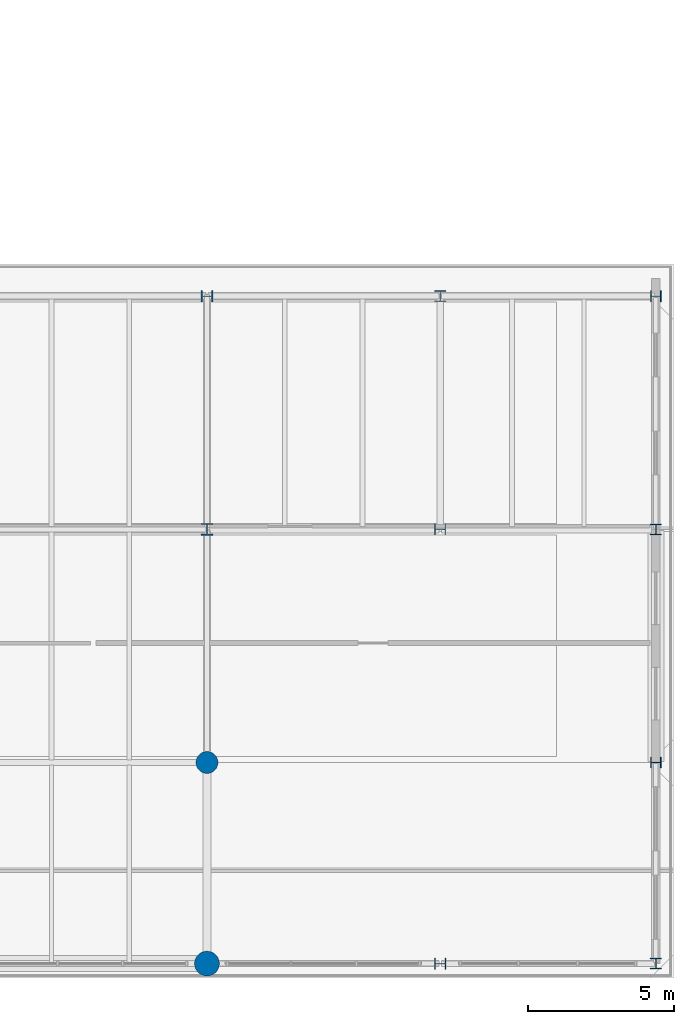
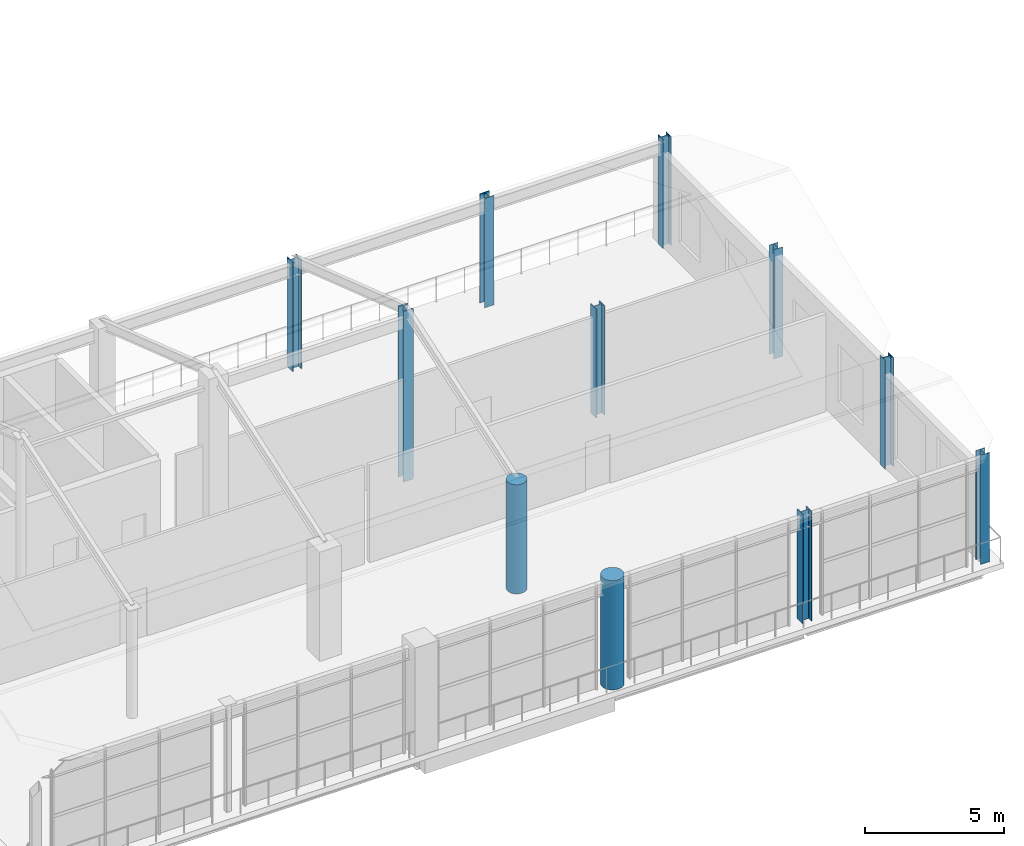
# One storey, part 12 of 51: 11 columns.
"""IFC4 building model written with IfcOpenShell, lengths in metres."""

import ifcopenshell
import ifcopenshell.guid

model = None  # the IFC model being written
_history = None  # IfcOwnerHistory: only IFC2X3 demands one
_inside = {}  # id of a spatial element -> (the spatial element, [elements in it])
_under = {}  # id of a project, library or spatial element -> (it, [spatial elements below it])
_declared = {}  # id of a project -> (the project, [libraries it declares])
_typed = {}  # id of a type object -> (the type object, [elements of that type])
_made_of = {}  # id of a material, layer set ... -> (it, [elements and type objects made of it])


def new_model(schema):
    """Start an empty IFC model of exactly this schema.

    Asked for "IFC4X3", IfcOpenShell would pick the latest addendum, in which some entities
    have other attributes; the version numbers below select the first issue.
    IFC2X3 requires an IfcOwnerHistory on every rooted entity: one is made here for all.
    """
    global model, _history
    if schema == "IFC4X3":
        model = ifcopenshell.file(schema_version=(4, 3, 0, 0))
    else:
        model = ifcopenshell.file(schema=schema)
    _inside.clear()
    _under.clear()
    _declared.clear()
    _typed.clear()
    _made_of.clear()
    _history = None
    if model.schema == "IFC2X3":
        org = make("IfcOrganization", Name="unknown")
        user = make(
            "IfcPersonAndOrganization",
            ThePerson=make("IfcPerson", FamilyName="unknown"),
            TheOrganization=org,
        )
        app = make(
            "IfcApplication",
            ApplicationDeveloper=org,
            Version="unknown",
            ApplicationFullName="unknown",
            ApplicationIdentifier="unknown",
        )
        _history = make(
            "IfcOwnerHistory",
            OwningUser=user,
            OwningApplication=app,
            ChangeAction="ADDED",
            CreationDate=0,
        )
    return model


def make(cls, **values):
    """One entity of the class cls with the attributes given. An attribute that is None is left unset."""
    return model.create_entity(
        cls, **{name: value for name, value in values.items() if value is not None}
    )


def rooted(cls, **values):
    """An entity with a GlobalId (a new one), such as an element, a storey or a relation."""
    return make(cls, GlobalId=ifcopenshell.guid.new(), OwnerHistory=_history, **values)


def si_unit(unit_type, name, prefix=None):
    """IfcSIUnit, for example si_unit("LENGTHUNIT", "METRE", prefix="MILLI")."""
    return make("IfcSIUnit", UnitType=unit_type, Prefix=prefix, Name=name)


def assignment(units):
    """IfcUnitAssignment: the units of a project."""
    return None if units is None else make("IfcUnitAssignment", Units=units)


def point(xyz):
    """IfcCartesianPoint."""
    return None if xyz is None else make("IfcCartesianPoint", Coordinates=xyz)


def direction(xyz):
    """IfcDirection."""
    return None if xyz is None else make("IfcDirection", DirectionRatios=xyz)


def frame(location, z_axis=None, x_axis=None):
    """IfcAxis2Placement3D, a coordinate frame: its origin and axes. An axis left out is left unset."""
    return make(
        "IfcAxis2Placement3D",
        Location=point(location),
        Axis=direction(z_axis),
        RefDirection=direction(x_axis),
    )


def frame_2d(location, x_axis=None):
    """IfcAxis2Placement2D, a coordinate frame in the plane: its origin and x axis."""
    return make(
        "IfcAxis2Placement2D", Location=point(location), RefDirection=direction(x_axis)
    )


def origin():
    """The frame at (0, 0, 0) with its axes left unset."""
    return frame((0.0, 0.0, 0.0))


def origin_2d():
    """The frame at (0, 0) in the plane with its x axis left unset."""
    return frame_2d((0.0, 0.0))


def place(relative_to, where):
    """IfcLocalPlacement: puts the frame where relative to a parent placement (None: the world)."""
    return make(
        "IfcLocalPlacement", PlacementRelTo=relative_to, RelativePlacement=where
    )


def context(
    kind, dimensions, precision=None, world=None, true_north=None, identifier=None
):
    """IfcGeometricRepresentationContext, for example the 3D "Model" context."""
    return make(
        "IfcGeometricRepresentationContext",
        ContextIdentifier=identifier,
        ContextType=kind,
        CoordinateSpaceDimension=dimensions,
        Precision=precision,
        WorldCoordinateSystem=world,
        TrueNorth=true_north,
    )


def subcontext(parent, identifier, kind, view, scale=None):
    """IfcGeometricRepresentationSubContext, for example "Body" below "Model"."""
    return make(
        "IfcGeometricRepresentationSubContext",
        ContextIdentifier=identifier,
        ContextType=kind,
        ParentContext=parent,
        TargetScale=scale,
        TargetView=view,
    )


def project(units=None, contexts=None):
    """IfcProject with its units and contexts."""
    return rooted(
        "IfcProject",
        Name="project",
        RepresentationContexts=contexts,
        UnitsInContext=assignment(units),
    )


def spatial(cls, under=None, at=None, **own):
    """A site, building, storey or space (cls), placed at a placement, below another one or the project."""
    s = rooted(cls, ObjectPlacement=at, **own)
    if under is not None:
        _under.setdefault(under.id(), (under, []))[1].append(s)
    return s


def profile(cls, at=None, kind="AREA", **sizes):
    """A parametric profile (cls). Its sizes go by their IFC names, for example OverallWidth=200.0."""
    return make(cls, ProfileType=kind, Position=at, **sizes)


def circle(**sizes):
    """IfcCircleProfileDef."""
    return profile("IfcCircleProfileDef", **sizes)


def i_section(**sizes):
    """IfcIShapeProfileDef."""
    return profile("IfcIShapeProfileDef", **sizes)


def extrude(swept, where, along, depth):
    """IfcExtrudedAreaSolid: the profile swept, set in the frame where, extruded along a direction by depth."""
    return make(
        "IfcExtrudedAreaSolid",
        SweptArea=swept,
        Position=where,
        ExtrudedDirection=direction(along),
        Depth=depth,
    )


def shape(context_of_items, identifier, shape_type, items):
    """IfcShapeRepresentation: the items that make up one representation, for example the "Body"."""
    return make(
        "IfcShapeRepresentation",
        ContextOfItems=context_of_items,
        RepresentationIdentifier=identifier,
        RepresentationType=shape_type,
        Items=items,
    )


def material(Name=None, Category=None):
    """IfcMaterial."""
    return make("IfcMaterial", Name=Name, Category=Category)


def material_profile(
    of_material, cross_section, Name=None, Category=None, Priority=None
):
    """IfcMaterialProfile: a cross section and its material."""
    return make(
        "IfcMaterialProfile",
        Name=Name,
        Material=of_material,
        Profile=cross_section,
        Priority=Priority,
        Category=Category,
    )


def profile_set(profiles, Name=None, composite=None):
    """IfcMaterialProfileSet."""
    return make(
        "IfcMaterialProfileSet",
        Name=Name,
        MaterialProfiles=profiles,
        CompositeProfile=composite,
    )


def made_of(thing, what):
    """Note that an element or type object is made of a material, layer set ...; save() writes the relation."""
    if what is not None:
        _made_of.setdefault(what.id(), (what, []))[1].append(thing)
    return thing


def type_object(cls, material=None, **own):
    """A type object (cls), such as IfcWallType, which elements share."""
    return made_of(rooted(cls, **own), material)


def element(
    cls,
    number,
    at=None,
    inside=None,
    cuts=None,
    type_object=None,
    material=None,
    context=None,
    identifier="Body",
    shape_type=None,
    held_by="IfcProductDefinitionShape",
    body=None,
    shapes=None,
    **own,
):
    """One element of the class cls, such as IfcWall. Its Tag is "e" and its number.

    at: its placement. inside: the storey or other place that contains it. cuts: it is an
    opening in that element (IfcRelVoidsElement). A single representation is given by context,
    identifier, shape_type and body (its items); several are given by shapes. held_by: the class
    of the entity that holds the representations. save() writes the other relations.
    """
    e = rooted(cls, Tag="e%d" % number, ObjectPlacement=at, **own)
    if body is not None:
        shapes = [shape(context, identifier, shape_type, body)]
    if shapes is not None:
        e.Representation = make(held_by, Representations=shapes)
    if inside is not None:
        _inside.setdefault(inside.id(), (inside, []))[1].append(e)
    if cuts is not None:
        rooted(
            "IfcRelVoidsElement", RelatingBuildingElement=cuts, RelatedOpeningElement=e
        )
    if type_object is not None:
        _typed.setdefault(type_object.id(), (type_object, []))[1].append(e)
    return made_of(e, material)


def aggregate(whole, parts):
    """IfcRelAggregates: a whole, such as a stair, and the parts it consists of."""
    return rooted("IfcRelAggregates", RelatingObject=whole, RelatedObjects=parts)


def save(model, path):
    """Write the relations noted so far, then the file.

    IfcRelAggregates (storeys below a building ...), IfcRelContainedInSpatialStructure (elements
    in a storey), IfcRelDefinesByType, IfcRelAssociatesMaterial and IfcRelDeclares: one each for
    every whole, place, type object, material and project.
    """
    for whole, parts in _under.values():
        aggregate(whole, parts)
    for where, things in _inside.values():
        rooted(
            "IfcRelContainedInSpatialStructure",
            RelatedElements=things,
            RelatingStructure=where,
        )
    for kind, things in _typed.values():
        rooted("IfcRelDefinesByType", RelatedObjects=things, RelatingType=kind)
    for what, things in _made_of.values():
        rooted("IfcRelAssociatesMaterial", RelatedObjects=things, RelatingMaterial=what)
    for by, libraries in _declared.values():
        rooted("IfcRelDeclares", RelatingContext=by, RelatedDefinitions=libraries)
    model.write(path)


model = new_model("IFC4")

# Units and contexts
model_context = context("Model", 3, precision=1e-05, world=origin(), true_north=direction((0.0, 1.0)))
body_context = subcontext(model_context, "Body", "Model", "MODEL_VIEW")
ifc_project = project(units=[si_unit("LENGTHUNIT", "METRE"), si_unit("AREAUNIT", "SQUARE_METRE"), si_unit("VOLUMEUNIT", "CUBIC_METRE"), si_unit("PLANEANGLEUNIT", "RADIAN"), si_unit("MASSUNIT", "GRAM", prefix="KILO")], contexts=[model_context])

# Site, building, storey
site_placement = place(None, origin())
site = spatial("IfcSite", under=ifc_project, at=site_placement, CompositionType="ELEMENT")
building_placement = place(site_placement, origin())
building = spatial("IfcBuilding", under=site, at=building_placement, Name="Brisemont Oceanarium", CompositionType="ELEMENT")
storey_placement = place(building_placement, frame((0.0, 0.0, 15.0)))
storey = spatial("IfcBuildingStorey", under=building, at=storey_placement, Name="L03", CompositionType="ELEMENT", Elevation=15.0)

# Columns
ifc_material_1 = material(Name="Concrete C40/50", Category="concrete")
ifc_material_profile_1 = material_profile(ifc_material_1, circle(Radius=0.375, at=origin_2d()), Name="RC-COL-D750")
ifc_profile_set_1 = profile_set([ifc_material_profile_1], Name="Concrete C40/50")
column_type_1 = type_object("IfcColumnType", Name="COL-RCD750", PredefinedType="COLUMN", material=ifc_profile_set_1)
column_1_placement = place(storey_placement, frame((144.0, 8.0, 0.0), z_axis=(0.0, 0.0, 1.0), x_axis=(0.0, 1.0, 0.0)))
element("IfcColumn", 1, at=column_1_placement, inside=storey, type_object=column_type_1, Name="V3 L03 column (4,1)", PredefinedType="COLUMN", context=body_context, shape_type="SweptSolid", body=[
    extrude(circle(Radius=0.375, at=origin_2d()), origin(), (0.0, 0.0, 1.0), 4.800048828125),
])
ifc_material_2 = material(Name="Concrete C40/50", Category="concrete")
ifc_material_profile_2 = material_profile(ifc_material_2, circle(Radius=0.425048828125, at=origin_2d()), Name="RC-COL-D850")
ifc_profile_set_2 = profile_set([ifc_material_profile_2], Name="Concrete C40/50")
column_type_2 = type_object("IfcColumnType", Name="COL-RCD850", PredefinedType="COLUMN", material=ifc_profile_set_2)
column_2_placement = place(storey_placement, frame((144.0, 1.10009765625, 0.0), z_axis=(0.0, 0.0, 1.0), x_axis=(1.0, 0.0, 0.0)))
element("IfcColumn", 2, at=column_2_placement, inside=storey, type_object=column_type_2, Name="V3 L03 column (4,0)", PredefinedType="COLUMN", context=body_context, shape_type="SweptSolid", body=[
    extrude(circle(Radius=0.425048828125, at=origin_2d()), origin(), (0.0, 0.0, 1.0), 4.800048828125),
])
ifc_material_3 = material(Name="Structural Steel ASTM A992 Gr.50", Category="steel")
ifc_material_profile_3 = material_profile(ifc_material_3, i_section(OverallWidth=0.37109375, OverallDepth=0.364013671875, WebThickness=0.01318359375, FlangeThickness=0.021728515625, FilletRadius=0.014892578125, at=origin_2d()), Name="W14X109")
ifc_profile_set_3 = profile_set([ifc_material_profile_3], Name="Structural Steel ASTM A992 Gr.50")
column_type_3 = type_object("IfcColumnType", Name="COL-W14X109", PredefinedType="COLUMN", material=ifc_profile_set_3)
column_3_placement = place(storey_placement, frame((159.39990234375, 8.0, 0.0), z_axis=(0.0, 0.0, 1.0), x_axis=(0.0, 1.0, 0.0)))
element("IfcColumn", 3, at=column_3_placement, inside=storey, type_object=column_type_3, Name="V3 L03 column (6,1)", PredefinedType="COLUMN", context=body_context, shape_type="SweptSolid", body=[
    extrude(i_section(OverallWidth=0.37109375, OverallDepth=0.364013671875, WebThickness=0.01318359375, FlangeThickness=0.021728515625, FilletRadius=0.014892578125, at=origin_2d()), origin(), (0.0, 0.0, 1.0), 4.800048828125),
])
ifc_material_4 = material(Name="Structural Steel ASTM A992 Gr.50", Category="steel")
ifc_material_profile_4 = material_profile(ifc_material_4, i_section(OverallWidth=0.373046875, OverallDepth=0.367919921875, WebThickness=0.014892578125, FlangeThickness=0.02392578125, FilletRadius=0.014892578125, at=origin_2d()), Name="W14X120")
ifc_profile_set_4 = profile_set([ifc_material_profile_4], Name="Structural Steel ASTM A992 Gr.50")
column_type_4 = type_object("IfcColumnType", Name="COL-W14X120", PredefinedType="COLUMN", material=ifc_profile_set_4)
column_4_placement = place(storey_placement, frame((159.39990234375, 1.10009765625, 0.0), z_axis=(0.0, 0.0, 1.0), x_axis=(1.0, 0.0, 0.0)))
element("IfcColumn", 4, at=column_4_placement, inside=storey, type_object=column_type_4, Name="V3 L03 column (6,0)", PredefinedType="COLUMN", context=body_context, shape_type="SweptSolid", body=[
    extrude(i_section(OverallWidth=0.373046875, OverallDepth=0.367919921875, WebThickness=0.014892578125, FlangeThickness=0.02392578125, FilletRadius=0.014892578125, at=origin_2d()), origin(), (0.0, 0.0, 1.0), 4.800048828125),
])
ifc_material_5 = material(Name="Structural Steel ASTM A992 Gr.50", Category="steel")
ifc_material_profile_5 = material_profile(ifc_material_5, i_section(OverallWidth=0.39404296875, OverallDepth=0.3759765625, WebThickness=0.017333984375, FlangeThickness=0.027587890625, FilletRadius=0.014892578125, at=origin_2d()), Name="W14X145")
ifc_profile_set_5 = profile_set([ifc_material_profile_5], Name="Structural Steel ASTM A992 Gr.50")
column_type_5 = type_object("IfcColumnType", Name="COL-W14X145", PredefinedType="COLUMN", material=ifc_profile_set_5)
column_5_placement = place(storey_placement, frame((152.0, 24.0, 0.0), z_axis=(0.0, 0.0, 1.0), x_axis=(1.0, 0.0, 0.0)))
element("IfcColumn", 5, at=column_5_placement, inside=storey, type_object=column_type_5, Name="V3 L03 column (5,3)", PredefinedType="COLUMN", context=body_context, shape_type="SweptSolid", body=[
    extrude(i_section(OverallWidth=0.39404296875, OverallDepth=0.3759765625, WebThickness=0.017333984375, FlangeThickness=0.027587890625, FilletRadius=0.014892578125, at=origin_2d()), origin(), (0.0, 0.0, 1.0), 4.800048828125),
])
ifc_material_6 = material(Name="Structural Steel ASTM A992 Gr.50", Category="steel")
ifc_material_profile_6 = material_profile(ifc_material_6, i_section(OverallWidth=0.39501953125, OverallDepth=0.3798828125, WebThickness=0.018798828125, FlangeThickness=0.0302734375, FilletRadius=0.014892578125, at=origin_2d()), Name="W14X159")
ifc_profile_set_6 = profile_set([ifc_material_profile_6], Name="Structural Steel ASTM A992 Gr.50")
column_type_6 = type_object("IfcColumnType", Name="COL-W14X159", PredefinedType="COLUMN", material=ifc_profile_set_6)
column_6_placement = place(storey_placement, frame((152.0, 16.0, 0.0), z_axis=(0.0, 0.0, 1.0), x_axis=(0.0, 1.0, 0.0)))
element("IfcColumn", 6, at=column_6_placement, inside=storey, type_object=column_type_6, Name="V3 L03 column (5,2)", PredefinedType="COLUMN", context=body_context, shape_type="SweptSolid", body=[
    extrude(i_section(OverallWidth=0.39501953125, OverallDepth=0.3798828125, WebThickness=0.018798828125, FlangeThickness=0.0302734375, FilletRadius=0.014892578125, at=origin_2d()), origin(), (0.0, 0.0, 1.0), 4.800048828125),
])
ifc_material_7 = material(Name="Structural Steel ASTM A992 Gr.50", Category="steel")
ifc_material_profile_7 = material_profile(ifc_material_7, i_section(OverallWidth=0.39990234375, OverallDepth=0.39306640625, WebThickness=0.022705078125, FlangeThickness=0.03662109375, FilletRadius=0.014892578125, at=origin_2d()), Name="W14X193")
ifc_profile_set_7 = profile_set([ifc_material_profile_7], Name="Structural Steel ASTM A992 Gr.50")
column_type_7 = type_object("IfcColumnType", Name="COL-W14X193", PredefinedType="COLUMN", material=ifc_profile_set_7)
column_7_placement = place(storey_placement, frame((152.0, 1.10009765625, 0.0), z_axis=(0.0, 0.0, 1.0), x_axis=(0.0, 1.0, 0.0)))
element("IfcColumn", 7, at=column_7_placement, inside=storey, type_object=column_type_7, Name="V3 L03 column (5,0)", PredefinedType="COLUMN", context=body_context, shape_type="SweptSolid", body=[
    extrude(i_section(OverallWidth=0.39990234375, OverallDepth=0.39306640625, WebThickness=0.022705078125, FlangeThickness=0.03662109375, FilletRadius=0.014892578125, at=origin_2d()), origin(), (0.0, 0.0, 1.0), 4.800048828125),
])
ifc_material_8 = material(Name="Structural Steel ASTM A992 Gr.50", Category="steel")
ifc_material_profile_8 = material_profile(ifc_material_8, i_section(OverallWidth=0.404052734375, OverallDepth=0.406982421875, WebThickness=0.027099609375, FlangeThickness=0.043701171875, FilletRadius=0.014892578125, at=origin_2d()), Name="W14X233")
ifc_profile_set_8 = profile_set([ifc_material_profile_8], Name="Structural Steel ASTM A992 Gr.50")
column_type_8 = type_object("IfcColumnType", Name="COL-W14X233", PredefinedType="COLUMN", material=ifc_profile_set_8)
column_8_placement = place(storey_placement, frame((144.0, 24.0, 0.0), z_axis=(0.0, 0.0, 1.0), x_axis=(0.0, 1.0, 0.0)))
element("IfcColumn", 8, at=column_8_placement, inside=storey, type_object=column_type_8, Name="V3 L03 column (4,3)", PredefinedType="COLUMN", context=body_context, shape_type="SweptSolid", body=[
    extrude(i_section(OverallWidth=0.404052734375, OverallDepth=0.406982421875, WebThickness=0.027099609375, FlangeThickness=0.043701171875, FilletRadius=0.014892578125, at=origin_2d()), origin(), (0.0, 0.0, 1.0), 4.800048828125),
])
ifc_material_9 = material(Name="Structural Steel ASTM A992 Gr.50", Category="steel")
ifc_material_profile_9 = material_profile(ifc_material_9, i_section(OverallWidth=0.406005859375, OverallDepth=0.416015625, WebThickness=0.02978515625, FlangeThickness=0.048095703125, FilletRadius=0.014892578125, at=origin_2d()), Name="W14X257")
ifc_profile_set_9 = profile_set([ifc_material_profile_9], Name="Structural Steel ASTM A992 Gr.50")
column_type_9 = type_object("IfcColumnType", Name="COL-W14X257", PredefinedType="COLUMN", material=ifc_profile_set_9)
column_9_placement = place(storey_placement, frame((144.0, 16.0, 0.0), z_axis=(0.0, 0.0, 1.0), x_axis=(1.0, 0.0, 0.0)))
element("IfcColumn", 9, at=column_9_placement, inside=storey, type_object=column_type_9, Name="V3 L03 column (4,2)", PredefinedType="COLUMN", context=body_context, shape_type="SweptSolid", body=[
    extrude(i_section(OverallWidth=0.406005859375, OverallDepth=0.416015625, WebThickness=0.02978515625, FlangeThickness=0.048095703125, FilletRadius=0.014892578125, at=origin_2d()), origin(), (0.0, 0.0, 1.0), 7.5),
])
ifc_material_10 = material(Name="Structural Steel ASTM A992 Gr.50", Category="steel")
ifc_material_profile_10 = material_profile(ifc_material_10, i_section(OverallWidth=0.367919921875, OverallDepth=0.35595703125, WebThickness=0.01123046875, FlangeThickness=0.01806640625, FilletRadius=0.014892578125, at=origin_2d()), Name="W14X90")
ifc_profile_set_10 = profile_set([ifc_material_profile_10], Name="Structural Steel ASTM A992 Gr.50")
column_type_10 = type_object("IfcColumnType", Name="COL-W14X90", PredefinedType="COLUMN", material=ifc_profile_set_10)
column_10_placement = place(storey_placement, frame((159.39990234375, 24.0, 0.0), z_axis=(0.0, 0.0, 1.0), x_axis=(0.0, 1.0, 0.0)))
element("IfcColumn", 10, at=column_10_placement, inside=storey, type_object=column_type_10, Name="V3 L03 column (6,3)", PredefinedType="COLUMN", context=body_context, shape_type="SweptSolid", body=[
    extrude(i_section(OverallWidth=0.367919921875, OverallDepth=0.35595703125, WebThickness=0.01123046875, FlangeThickness=0.01806640625, FilletRadius=0.014892578125, at=origin_2d()), origin(), (0.0, 0.0, 1.0), 4.800048828125),
])
ifc_material_11 = material(Name="Structural Steel ASTM A992 Gr.50", Category="steel")
ifc_material_profile_11 = material_profile(ifc_material_11, i_section(OverallWidth=0.37109375, OverallDepth=0.361083984375, WebThickness=0.01220703125, FlangeThickness=0.019775390625, FilletRadius=0.014892578125, at=origin_2d()), Name="W14X99")
ifc_profile_set_11 = profile_set([ifc_material_profile_11], Name="Structural Steel ASTM A992 Gr.50")
column_type_11 = type_object("IfcColumnType", Name="COL-W14X99", PredefinedType="COLUMN", material=ifc_profile_set_11)
column_11_placement = place(storey_placement, frame((159.39990234375, 16.0, 0.0), z_axis=(0.0, 0.0, 1.0), x_axis=(1.0, 0.0, 0.0)))
element("IfcColumn", 11, at=column_11_placement, inside=storey, type_object=column_type_11, Name="V3 L03 column (6,2)", PredefinedType="COLUMN", context=body_context, shape_type="SweptSolid", body=[
    extrude(i_section(OverallWidth=0.37109375, OverallDepth=0.361083984375, WebThickness=0.01220703125, FlangeThickness=0.019775390625, FilletRadius=0.014892578125, at=origin_2d()), origin(), (0.0, 0.0, 1.0), 4.800048828125),
])

save(model, "model.ifc")
